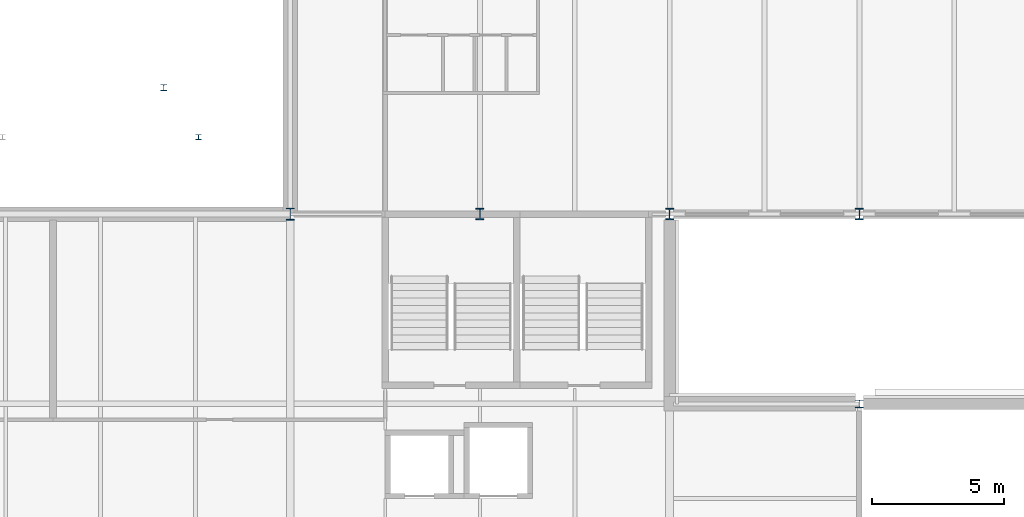
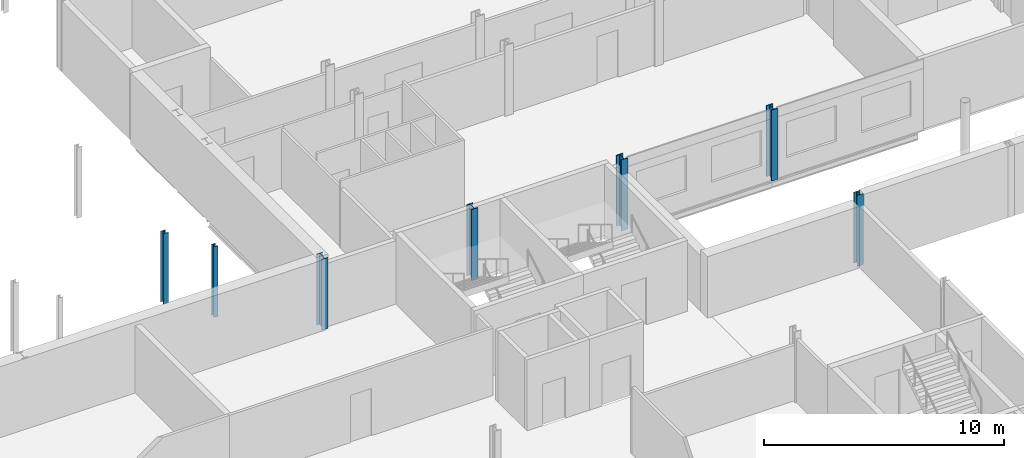
# One storey, part 13 of 90: 7 columns.
"""IFC4 building model written with IfcOpenShell, lengths in metres."""

import ifcopenshell
import ifcopenshell.guid

model = None  # the IFC model being written
_history = None  # IfcOwnerHistory: only IFC2X3 demands one
_inside = {}  # id of a spatial element -> (the spatial element, [elements in it])
_under = {}  # id of a project, library or spatial element -> (it, [spatial elements below it])
_declared = {}  # id of a project -> (the project, [libraries it declares])
_typed = {}  # id of a type object -> (the type object, [elements of that type])
_made_of = {}  # id of a material, layer set ... -> (it, [elements and type objects made of it])


def new_model(schema):
    """Start an empty IFC model of exactly this schema.

    Asked for "IFC4X3", IfcOpenShell would pick the latest addendum, in which some entities
    have other attributes; the version numbers below select the first issue.
    IFC2X3 requires an IfcOwnerHistory on every rooted entity: one is made here for all.
    """
    global model, _history
    if schema == "IFC4X3":
        model = ifcopenshell.file(schema_version=(4, 3, 0, 0))
    else:
        model = ifcopenshell.file(schema=schema)
    _inside.clear()
    _under.clear()
    _declared.clear()
    _typed.clear()
    _made_of.clear()
    _history = None
    if model.schema == "IFC2X3":
        org = make("IfcOrganization", Name="unknown")
        user = make(
            "IfcPersonAndOrganization",
            ThePerson=make("IfcPerson", FamilyName="unknown"),
            TheOrganization=org,
        )
        app = make(
            "IfcApplication",
            ApplicationDeveloper=org,
            Version="unknown",
            ApplicationFullName="unknown",
            ApplicationIdentifier="unknown",
        )
        _history = make(
            "IfcOwnerHistory",
            OwningUser=user,
            OwningApplication=app,
            ChangeAction="ADDED",
            CreationDate=0,
        )
    return model


def make(cls, **values):
    """One entity of the class cls with the attributes given. An attribute that is None is left unset."""
    return model.create_entity(
        cls, **{name: value for name, value in values.items() if value is not None}
    )


def rooted(cls, **values):
    """An entity with a GlobalId (a new one), such as an element, a storey or a relation."""
    return make(cls, GlobalId=ifcopenshell.guid.new(), OwnerHistory=_history, **values)


def si_unit(unit_type, name, prefix=None):
    """IfcSIUnit, for example si_unit("LENGTHUNIT", "METRE", prefix="MILLI")."""
    return make("IfcSIUnit", UnitType=unit_type, Prefix=prefix, Name=name)


def assignment(units):
    """IfcUnitAssignment: the units of a project."""
    return None if units is None else make("IfcUnitAssignment", Units=units)


def point(xyz):
    """IfcCartesianPoint."""
    return None if xyz is None else make("IfcCartesianPoint", Coordinates=xyz)


def direction(xyz):
    """IfcDirection."""
    return None if xyz is None else make("IfcDirection", DirectionRatios=xyz)


def frame(location, z_axis=None, x_axis=None):
    """IfcAxis2Placement3D, a coordinate frame: its origin and axes. An axis left out is left unset."""
    return make(
        "IfcAxis2Placement3D",
        Location=point(location),
        Axis=direction(z_axis),
        RefDirection=direction(x_axis),
    )


def frame_2d(location, x_axis=None):
    """IfcAxis2Placement2D, a coordinate frame in the plane: its origin and x axis."""
    return make(
        "IfcAxis2Placement2D", Location=point(location), RefDirection=direction(x_axis)
    )


def origin():
    """The frame at (0, 0, 0) with its axes left unset."""
    return frame((0.0, 0.0, 0.0))


def origin_2d():
    """The frame at (0, 0) in the plane with its x axis left unset."""
    return frame_2d((0.0, 0.0))


def place(relative_to, where):
    """IfcLocalPlacement: puts the frame where relative to a parent placement (None: the world)."""
    return make(
        "IfcLocalPlacement", PlacementRelTo=relative_to, RelativePlacement=where
    )


def context(
    kind, dimensions, precision=None, world=None, true_north=None, identifier=None
):
    """IfcGeometricRepresentationContext, for example the 3D "Model" context."""
    return make(
        "IfcGeometricRepresentationContext",
        ContextIdentifier=identifier,
        ContextType=kind,
        CoordinateSpaceDimension=dimensions,
        Precision=precision,
        WorldCoordinateSystem=world,
        TrueNorth=true_north,
    )


def subcontext(parent, identifier, kind, view, scale=None):
    """IfcGeometricRepresentationSubContext, for example "Body" below "Model"."""
    return make(
        "IfcGeometricRepresentationSubContext",
        ContextIdentifier=identifier,
        ContextType=kind,
        ParentContext=parent,
        TargetScale=scale,
        TargetView=view,
    )


def project(units=None, contexts=None):
    """IfcProject with its units and contexts."""
    return rooted(
        "IfcProject",
        Name="project",
        RepresentationContexts=contexts,
        UnitsInContext=assignment(units),
    )


def spatial(cls, under=None, at=None, **own):
    """A site, building, storey or space (cls), placed at a placement, below another one or the project."""
    s = rooted(cls, ObjectPlacement=at, **own)
    if under is not None:
        _under.setdefault(under.id(), (under, []))[1].append(s)
    return s


def profile(cls, at=None, kind="AREA", **sizes):
    """A parametric profile (cls). Its sizes go by their IFC names, for example OverallWidth=200.0."""
    return make(cls, ProfileType=kind, Position=at, **sizes)


def i_section(**sizes):
    """IfcIShapeProfileDef."""
    return profile("IfcIShapeProfileDef", **sizes)


def extrude(swept, where, along, depth):
    """IfcExtrudedAreaSolid: the profile swept, set in the frame where, extruded along a direction by depth."""
    return make(
        "IfcExtrudedAreaSolid",
        SweptArea=swept,
        Position=where,
        ExtrudedDirection=direction(along),
        Depth=depth,
    )


def shape(context_of_items, identifier, shape_type, items):
    """IfcShapeRepresentation: the items that make up one representation, for example the "Body"."""
    return make(
        "IfcShapeRepresentation",
        ContextOfItems=context_of_items,
        RepresentationIdentifier=identifier,
        RepresentationType=shape_type,
        Items=items,
    )


def material(Name=None, Category=None):
    """IfcMaterial."""
    return make("IfcMaterial", Name=Name, Category=Category)


def material_profile(
    of_material, cross_section, Name=None, Category=None, Priority=None
):
    """IfcMaterialProfile: a cross section and its material."""
    return make(
        "IfcMaterialProfile",
        Name=Name,
        Material=of_material,
        Profile=cross_section,
        Priority=Priority,
        Category=Category,
    )


def profile_set(profiles, Name=None, composite=None):
    """IfcMaterialProfileSet."""
    return make(
        "IfcMaterialProfileSet",
        Name=Name,
        MaterialProfiles=profiles,
        CompositeProfile=composite,
    )


def made_of(thing, what):
    """Note that an element or type object is made of a material, layer set ...; save() writes the relation."""
    if what is not None:
        _made_of.setdefault(what.id(), (what, []))[1].append(thing)
    return thing


def type_object(cls, material=None, **own):
    """A type object (cls), such as IfcWallType, which elements share."""
    return made_of(rooted(cls, **own), material)


def element(
    cls,
    number,
    at=None,
    inside=None,
    cuts=None,
    type_object=None,
    material=None,
    context=None,
    identifier="Body",
    shape_type=None,
    held_by="IfcProductDefinitionShape",
    body=None,
    shapes=None,
    **own,
):
    """One element of the class cls, such as IfcWall. Its Tag is "e" and its number.

    at: its placement. inside: the storey or other place that contains it. cuts: it is an
    opening in that element (IfcRelVoidsElement). A single representation is given by context,
    identifier, shape_type and body (its items); several are given by shapes. held_by: the class
    of the entity that holds the representations. save() writes the other relations.
    """
    e = rooted(cls, Tag="e%d" % number, ObjectPlacement=at, **own)
    if body is not None:
        shapes = [shape(context, identifier, shape_type, body)]
    if shapes is not None:
        e.Representation = make(held_by, Representations=shapes)
    if inside is not None:
        _inside.setdefault(inside.id(), (inside, []))[1].append(e)
    if cuts is not None:
        rooted(
            "IfcRelVoidsElement", RelatingBuildingElement=cuts, RelatedOpeningElement=e
        )
    if type_object is not None:
        _typed.setdefault(type_object.id(), (type_object, []))[1].append(e)
    return made_of(e, material)


def aggregate(whole, parts):
    """IfcRelAggregates: a whole, such as a stair, and the parts it consists of."""
    return rooted("IfcRelAggregates", RelatingObject=whole, RelatedObjects=parts)


def save(model, path):
    """Write the relations noted so far, then the file.

    IfcRelAggregates (storeys below a building ...), IfcRelContainedInSpatialStructure (elements
    in a storey), IfcRelDefinesByType, IfcRelAssociatesMaterial and IfcRelDeclares: one each for
    every whole, place, type object, material and project.
    """
    for whole, parts in _under.values():
        aggregate(whole, parts)
    for where, things in _inside.values():
        rooted(
            "IfcRelContainedInSpatialStructure",
            RelatedElements=things,
            RelatingStructure=where,
        )
    for kind, things in _typed.values():
        rooted("IfcRelDefinesByType", RelatedObjects=things, RelatingType=kind)
    for what, things in _made_of.values():
        rooted("IfcRelAssociatesMaterial", RelatedObjects=things, RelatingMaterial=what)
    for by, libraries in _declared.values():
        rooted("IfcRelDeclares", RelatingContext=by, RelatedDefinitions=libraries)
    model.write(path)


model = new_model("IFC4")

# Units and contexts
model_context = context("Model", 3, precision=1e-05, world=origin(), true_north=direction((0.0, 1.0)))
body_context = subcontext(model_context, "Body", "Model", "MODEL_VIEW")
ifc_project = project(units=[si_unit("LENGTHUNIT", "METRE"), si_unit("AREAUNIT", "SQUARE_METRE"), si_unit("VOLUMEUNIT", "CUBIC_METRE"), si_unit("PLANEANGLEUNIT", "RADIAN"), si_unit("MASSUNIT", "GRAM", prefix="KILO")], contexts=[model_context])

# Site, building, storey
site_placement = place(None, origin())
site = spatial("IfcSite", under=ifc_project, at=site_placement, CompositionType="ELEMENT")
building_placement = place(site_placement, origin())
building = spatial("IfcBuilding", under=site, at=building_placement, Name="Kupolbacken Congress Centre", CompositionType="ELEMENT")
storey_placement = place(building_placement, frame((0.0, 0.0, 3.60009765625)))
storey = spatial("IfcBuildingStorey", under=building, at=storey_placement, Name="L01", CompositionType="ELEMENT", Elevation=3.60009765625)

# Columns
ifc_material_1 = material(Name="Steel S355", Category="steel")
ifc_material_profile_1 = material_profile(ifc_material_1, i_section(OverallWidth=0.306884765625, OverallDepth=0.431884765625, WebThickness=0.02099609375, FlangeThickness=0.0400390625, FilletRadius=0.027099609375, at=origin_2d()), Name="HEM 400")
ifc_profile_set_1 = profile_set([ifc_material_profile_1], Name="Steel S355")
column_type_1 = type_object("IfcColumnType", Name="C02 column HEM 400", PredefinedType="COLUMN", material=ifc_profile_set_1)
for number, where, z_axis, x_axis, name in (
    (1, (72.0, 122.39990234375, 0.0), (0.0, 0.0, 1.0), (1.0, 0.0, 0.0), "S/col/C-T-11T/L01"),
    (2, (79.199951171875, 122.39990234375, 0.0), (0.0, 0.0, 1.0), (1.0, 0.0, 0.0), "S/col/C-T-12T/L01"),
    (3, (86.39990234375, 122.39990234375, 0.0), (0.0, 0.0, 1.0), (1.0, 0.0, 0.0), "S/col/C-T-13T/L01"),
):
    element("IfcColumn", number, at=place(storey_placement, frame(where, z_axis=z_axis, x_axis=x_axis)), inside=storey, type_object=column_type_1, Name=name, PredefinedType="COLUMN", context=body_context, shape_type="SweptSolid", body=[
        extrude(i_section(OverallWidth=0.306884765625, OverallDepth=0.431884765625, WebThickness=0.02099609375, FlangeThickness=0.0400390625, FilletRadius=0.027099609375, at=origin_2d()), origin(), (0.0, 0.0, 1.0), 3.599853515625),
    ])
ifc_material_2 = material(Name="Steel S355", Category="steel")
ifc_material_profile_2 = material_profile(ifc_material_2, i_section(OverallWidth=0.300048828125, OverallDepth=0.449951171875, WebThickness=0.013916015625, FlangeThickness=0.02587890625, FilletRadius=0.027099609375, at=origin_2d()), Name="HEB 450")
ifc_profile_set_2 = profile_set([ifc_material_profile_2], Name="Steel S355")
column_type_2 = type_object("IfcColumnType", Name="C03 column HEB 450", PredefinedType="COLUMN", material=ifc_profile_set_2)
column_1_placement = place(storey_placement, frame((64.800048828125, 122.39990234375, 0.0), z_axis=(0.0, 0.0, 1.0), x_axis=(1.0, 0.0, 0.0)))
element("IfcColumn", 4, at=column_1_placement, inside=storey, type_object=column_type_2, Name="S/col/C-T-10T/L01", PredefinedType="COLUMN", context=body_context, shape_type="SweptSolid", body=[
    extrude(i_section(OverallWidth=0.300048828125, OverallDepth=0.449951171875, WebThickness=0.013916015625, FlangeThickness=0.02587890625, FilletRadius=0.027099609375, at=origin_2d()), origin(), (0.0, 0.0, 1.0), 3.599853515625),
])
ifc_material_3 = material(Name="Steel S355", Category="steel")
ifc_material_profile_3 = material_profile(ifc_material_3, i_section(OverallWidth=0.300048828125, OverallDepth=0.2900390625, WebThickness=0.008544921875, FlangeThickness=0.013916015625, FilletRadius=0.027099609375, at=origin_2d()), Name="HEA 300")
ifc_profile_set_3 = profile_set([ifc_material_profile_3], Name="Steel S355")
column_type_3 = type_object("IfcColumnType", Name="C09 column HEA 300", PredefinedType="COLUMN", material=ifc_profile_set_3)
column_2_placement = place(storey_placement, frame((86.39990234375, 115.199951171875, 0.0), z_axis=(0.0, 0.0, 1.0), x_axis=(1.0, 0.0, 0.0)))
element("IfcColumn", 5, at=column_2_placement, inside=storey, type_object=column_type_3, Name="S/col/C-H-PW11/L01", PredefinedType="COLUMN", context=body_context, shape_type="SweptSolid", body=[
    extrude(i_section(OverallWidth=0.300048828125, OverallDepth=0.2900390625, WebThickness=0.008544921875, FlangeThickness=0.013916015625, FilletRadius=0.027099609375, at=origin_2d()), origin(), (0.0, 0.0, 1.0), 3.599853515625),
])
ifc_material_4 = material(Name="Steel S355", Category="steel")
ifc_material_profile_4 = material_profile(ifc_material_4, i_section(OverallWidth=0.239990234375, OverallDepth=0.22998046875, WebThickness=0.007568359375, FlangeThickness=0.011962890625, FilletRadius=0.02099609375, at=origin_2d()), Name="HEA 240")
ifc_profile_set_4 = profile_set([ifc_material_profile_4], Name="Steel S355")
column_type_4 = type_object("IfcColumnType", Name="C10 column HEA 240", PredefinedType="COLUMN", material=ifc_profile_set_4)
column_3_placement = place(storey_placement, frame((60.0, 127.199951171875, 0.0), z_axis=(0.0, 0.0, 1.0), x_axis=(1.0, 0.0, 0.0)))
element("IfcColumn", 6, at=column_3_placement, inside=storey, type_object=column_type_4, Name="E/T/portico/P/col60/L01", PredefinedType="COLUMN", context=body_context, shape_type="SweptSolid", body=[
    extrude(i_section(OverallWidth=0.239990234375, OverallDepth=0.22998046875, WebThickness=0.007568359375, FlangeThickness=0.011962890625, FilletRadius=0.02099609375, at=origin_2d()), origin(), (0.0, 0.0, 1.0), 3.599853515625),
])
ifc_material_5 = material(Name="Steel S355", Category="steel")
ifc_material_profile_5 = material_profile(ifc_material_5, i_section(OverallWidth=0.199951171875, OverallDepth=0.199951171875, WebThickness=0.009033203125, FlangeThickness=0.014892578125, FilletRadius=0.01806640625, at=origin_2d()), Name="HEB 200")
ifc_profile_set_5 = profile_set([ifc_material_profile_5], Name="Steel S355")
column_type_5 = type_object("IfcColumnType", Name="C11 column HEB 200", PredefinedType="COLUMN", material=ifc_profile_set_5)
column_4_placement = place(storey_placement, frame((61.320068359375, 125.320068359375, 0.0), z_axis=(0.0, 0.0, 1.0), x_axis=(1.0, 0.0, 0.0)))
element("IfcColumn", 7, at=column_4_placement, inside=storey, type_object=column_type_5, Name="E/canopy/HEN3/col1/L01", PredefinedType="COLUMN", context=body_context, shape_type="SweptSolid", body=[
    extrude(i_section(OverallWidth=0.199951171875, OverallDepth=0.199951171875, WebThickness=0.009033203125, FlangeThickness=0.014892578125, FilletRadius=0.01806640625, at=origin_2d()), origin(), (0.0, 0.0, 1.0), 3.599853515625),
])

save(model, "model.ifc")
